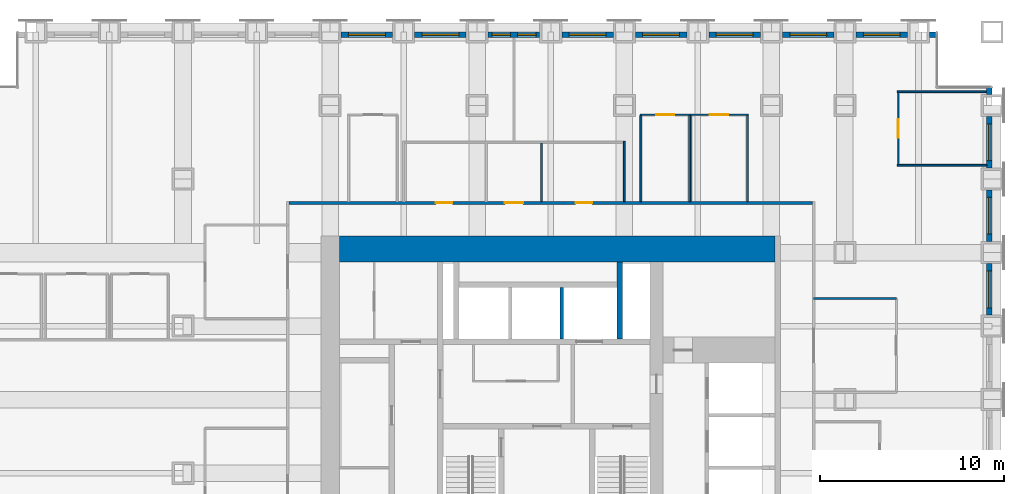
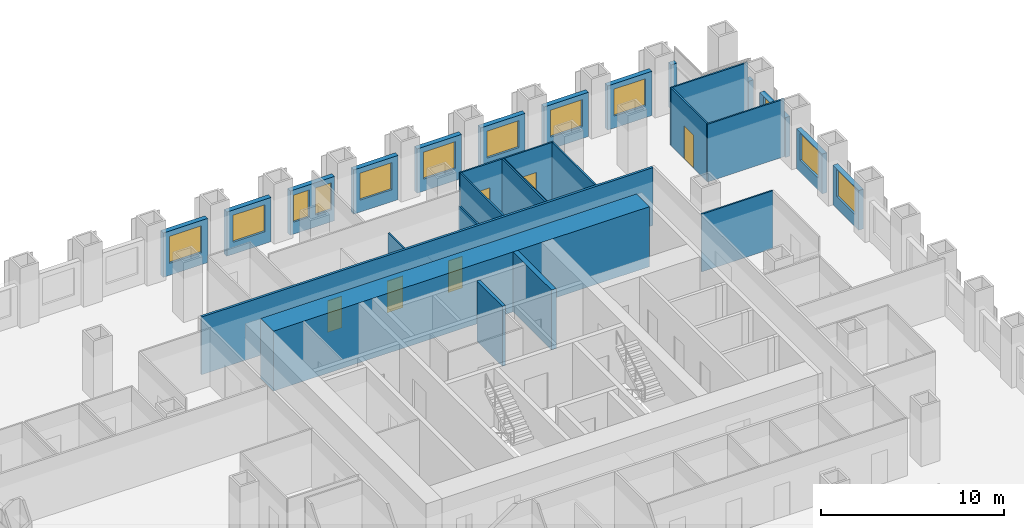
# One storey, part 12 of 15: 29 walls, 12 windows, 6 doors, 18 openings.
"""IFC4 building model written with IfcOpenShell, lengths in metres."""

from ifc_helpers import new_model, si_unit, direction, frame, frame_2d, origin, place, context, subcontext, project, spatial, rectangle, extrude, material, layer, layer_set, type_object, element, fill, save


model = new_model("IFC4")

# Units and contexts
model_context = context("Model", 3, precision=1e-05, world=origin(), true_north=direction((0.0, 1.0)))
body_context = subcontext(model_context, "Body", "Model", "MODEL_VIEW")
ifc_project = project(units=[si_unit("LENGTHUNIT", "METRE"), si_unit("AREAUNIT", "SQUARE_METRE"), si_unit("VOLUMEUNIT", "CUBIC_METRE"), si_unit("PLANEANGLEUNIT", "RADIAN"), si_unit("MASSUNIT", "GRAM", prefix="KILO")], contexts=[model_context])

# Site, building, storey
site_placement = place(None, origin())
site = spatial("IfcSite", under=ifc_project, at=site_placement, CompositionType="ELEMENT")
building_placement = place(site_placement, origin())
building = spatial("IfcBuilding", under=site, at=building_placement, Name="Rimbunsela Tower", CompositionType="ELEMENT")
storey_placement = place(building_placement, frame((0.0, 0.0, 67.0)))
storey = spatial("IfcBuildingStorey", under=building, at=storey_placement, Name="L16", CompositionType="ELEMENT", Elevation=67.0)

# Walls
ifc_material_1 = material(Name="Concrete fc' 80 MPa", Category="concrete")
ifc_layer_1 = layer(ifc_material_1, 0.300048828125)
ifc_layer_set_1 = layer_set([ifc_layer_1], Name="Core internal wall 300")
wall_type_1 = type_object("IfcWallType", Name="Core internal wall 300", PredefinedType="SHEAR", material=ifc_layer_set_1)
wall_1_placement = place(storey_placement, frame((33.75, 31.300048828125, -0.14990234375), z_axis=(0.0, 0.0, 1.0), x_axis=(0.0, 1.0, 0.0)))
element("IfcWall", 1, at=wall_1_placement, inside=storey, type_object=wall_type_1, Name="Riser wall", PredefinedType="SHEAR", context=body_context, shape_type="SweptSolid", body=[
    extrude(rectangle(XDim=4.199951171875, YDim=0.300048828125, at=frame_2d((2.10009765625, 0.0))), origin(), (0.0, 0.0, 1.0), 4.0),
])
ifc_material_2 = material(Name="Concrete fc' 80 MPa", Category="concrete")
ifc_layer_2 = layer(ifc_material_2, 1.39990234375)
ifc_layer_set_2 = layer_set([ifc_layer_2], Name="Core wall 1400")
wall_type_2 = type_object("IfcWallType", Name="Core wall 1400", PredefinedType="SHEAR", material=ifc_layer_set_2)
wall_2_placement = place(storey_placement, frame((18.5, 36.199951171875, -0.14990234375), z_axis=(0.0, 0.0, 1.0), x_axis=(1.0, 0.0, 0.0)))
element("IfcWall", 2, at=wall_2_placement, inside=storey, type_object=wall_type_2, Name="Core wall north", PredefinedType="SHEAR", context=body_context, shape_type="SweptSolid", body=[
    extrude(rectangle(XDim=23.699951171875, YDim=1.39990234375, at=frame_2d((11.85009765625, 0.0))), origin(), (0.0, 0.0, 1.0), 4.0),
])
ifc_material_3 = material(Name="Concrete blockwork", Category="masonry")
ifc_layer_3 = layer(ifc_material_3, 0.199951171875)
ifc_layer_set_3 = layer_set([ifc_layer_3], Name="Lift shaft wall 200")
wall_type_3 = type_object("IfcWallType", Name="Lift shaft wall 200", PredefinedType="SOLIDWALL", material=ifc_layer_set_3)
wall_3_placement = place(storey_placement, frame((30.60009765625, 31.300048828125, -0.14990234375), z_axis=(0.0, 0.0, 1.0), x_axis=(0.0, 1.0, 0.0)))
element("IfcWall", 3, at=wall_3_placement, inside=storey, type_object=wall_type_3, Name="Lift shaft separation", PredefinedType="SOLIDWALL", context=body_context, shape_type="SweptSolid", body=[
    extrude(rectangle(XDim=2.800048828125, YDim=0.199951171875, at=frame_2d((1.39990234375, 0.0))), origin(), (0.0, 0.0, 1.0), 4.0),
])
ifc_material_4 = material(Name="Gypsum board on steel studs", Category="steel")
ifc_layer_4 = layer(ifc_material_4, 0.10009765625)
ifc_layer_set_4 = layer_set([ifc_layer_4], Name="Office partition 100")
wall_type_4 = type_object("IfcWallType", Name="Office partition 100", PredefinedType="PARTITIONING", material=ifc_layer_set_4)
wall_4_placement = place(storey_placement, frame((48.85009765625, 40.75, 0.0), z_axis=(0.0, 0.0, 1.0), x_axis=(1.0, 0.0, 0.0)))
element("IfcWall", 4, at=wall_4_placement, inside=storey, type_object=wall_type_4, Name="Office partition", PredefinedType="PARTITIONING", context=body_context, shape_type="SweptSolid", body=[
    extrude(rectangle(XDim=4.849853515625, YDim=0.10009765625, at=frame_2d((2.4248046875, 0.0))), origin(), (0.0, 0.0, 1.0), 3.85009765625),
])

# Wall, opening, door
wall_5_placement = place(storey_placement, frame((34.85009765625, 43.5, 0.0), z_axis=(0.0, 0.0, 1.0), x_axis=(1.0, 0.0, 0.0)))
wall_5 = element("IfcWall", 5, at=wall_5_placement, inside=storey, type_object=wall_type_4, Name="Office partition", PredefinedType="PARTITIONING", context=body_context, shape_type="SweptSolid", body=[
    extrude(rectangle(XDim=2.75, YDim=0.10009765625, at=frame_2d((1.375, 0.0))), origin(), (0.0, 0.0, 1.0), 3.85009765625),
])
opening_1_placement = place(wall_5_placement, frame((0.875, 0.0, 0.0)))
opening_1 = element("IfcOpeningElement", 6, at=opening_1_placement, cuts=wall_5, Name="Opening D16", PredefinedType="OPENING", context=body_context, shape_type="SweptSolid", body=[
    extrude(rectangle(XDim=1.0, YDim=2.199951171875, at=frame_2d((0.5, 1.10009765625))), frame((0.0, 0.06005859375, 0.0), z_axis=(0.0, -1.0, 0.0), x_axis=(1.0, 0.0, 0.0)), (0.0, 0.0, 1.0), 0.1201171875),
])
ifc_material_5 = material(Name="Timber door", Category="wood")
door_type_1 = type_object("IfcDoorType", Name="Office door 1000", OperationType="SINGLE_SWING_LEFT", PredefinedType="DOOR", material=ifc_material_5)
door_1_placement = place(opening_1_placement, origin())
door_1 = element("IfcDoor", 7, at=door_1_placement, inside=storey, type_object=door_type_1, Name="Office door", OperationType="SINGLE_SWING_LEFT", OverallHeight=2.199951171875, OverallWidth=1.0, PredefinedType="DOOR", context=body_context, shape_type="SweptSolid", body=[
    extrude(rectangle(XDim=1.0, YDim=2.199951171875, at=frame_2d((0.5, 1.10009765625))), frame((0.0, 0.02490234375, 0.0), z_axis=(0.0, -1.0, 0.0), x_axis=(1.0, 0.0, 0.0)), (0.0, 0.0, 1.0), 0.050048828125),
])
fill(opening_1, door_1)

wall_6_placement = place(storey_placement, frame((37.550048828125, 43.5, 0.0), z_axis=(0.0, 0.0, 1.0), x_axis=(1.0, 0.0, 0.0)))
wall_6 = element("IfcWall", 8, at=wall_6_placement, inside=storey, type_object=wall_type_4, Name="Office partition", PredefinedType="PARTITIONING", context=body_context, shape_type="SweptSolid", body=[
    extrude(rectangle(XDim=3.199951171875, YDim=0.10009765625, at=frame_2d((1.60009765625, 0.0))), origin(), (0.0, 0.0, 1.0), 3.85009765625),
])
opening_2_placement = place(wall_6_placement, frame((1.10009765625, 0.0, 0.0)))
opening_2 = element("IfcOpeningElement", 9, at=opening_2_placement, cuts=wall_6, Name="Opening D16", PredefinedType="OPENING", context=body_context, shape_type="SweptSolid", body=[
    extrude(rectangle(XDim=1.0, YDim=2.199951171875, at=frame_2d((0.5, 1.10009765625))), frame((0.0, 0.06005859375, 0.0), z_axis=(0.0, -1.0, 0.0), x_axis=(1.0, 0.0, 0.0)), (0.0, 0.0, 1.0), 0.1201171875),
])
door_2_placement = place(opening_2_placement, origin())
door_2 = element("IfcDoor", 10, at=door_2_placement, inside=storey, type_object=door_type_1, Name="Office door", OperationType="SINGLE_SWING_LEFT", OverallHeight=2.199951171875, OverallWidth=1.0, PredefinedType="DOOR", context=body_context, shape_type="SweptSolid", body=[
    extrude(rectangle(XDim=1.0, YDim=2.199951171875, at=frame_2d((0.5, 1.10009765625))), frame((0.0, 0.02490234375, 0.0), z_axis=(0.0, -1.0, 0.0), x_axis=(1.0, 0.0, 0.0)), (0.0, 0.0, 1.0), 0.050048828125),
])
fill(opening_2, door_2)

# Walls
wall_7_placement = place(storey_placement, frame((48.85009765625, 44.75, 0.0), z_axis=(0.0, 0.0, 1.0), x_axis=(1.0, 0.0, 0.0)))
element("IfcWall", 11, at=wall_7_placement, inside=storey, type_object=wall_type_4, Name="Office partition", PredefinedType="PARTITIONING", context=body_context, shape_type="SweptSolid", body=[
    extrude(rectangle(XDim=4.849853515625, YDim=0.10009765625, at=frame_2d((2.4248046875, 0.0))), origin(), (0.0, 0.0, 1.0), 3.85009765625),
])
for number, where, z_axis, x_axis, name in (
    (12, (34.89990234375, 38.77490234375, 0.0), (0.0, 0.0, 1.0), (0.0, 1.0, 0.0), "Office partition"),
    (13, (37.550048828125, 38.77490234375, 0.0), (0.0, 0.0, 1.0), (0.0, 1.0, 0.0), "Office partition"),
    (14, (37.60009765625, 38.77490234375, 0.0), (0.0, 0.0, 1.0), (0.0, 1.0, 0.0), "Office partition"),
    (15, (40.699951171875, 38.77490234375, 0.0), (0.0, 0.0, 1.0), (0.0, 1.0, 0.0), "Office partition"),
):
    element("IfcWall", number, at=place(storey_placement, frame(where, z_axis=z_axis, x_axis=x_axis)), inside=storey, type_object=wall_type_4, Name=name, PredefinedType="PARTITIONING", context=body_context, shape_type="SweptSolid", body=[
        extrude(rectangle(XDim=4.675048828125, YDim=0.10009765625, at=frame_2d((2.33740234375, 0.0))), origin(), (0.0, 0.0, 1.0), 3.85009765625),
    ])

# Wall, opening, door
wall_8_placement = place(storey_placement, frame((48.89990234375, 40.800048828125, 0.0), z_axis=(0.0, 0.0, 1.0), x_axis=(0.0, 1.0, 0.0)))
wall_8 = element("IfcWall", 16, at=wall_8_placement, inside=storey, type_object=wall_type_4, Name="Office partition", PredefinedType="PARTITIONING", context=body_context, shape_type="SweptSolid", body=[
    extrude(rectangle(XDim=3.89990234375, YDim=0.10009765625, at=frame_2d((1.949951171875, 0.0))), origin(), (0.0, 0.0, 1.0), 3.85009765625),
])
opening_3_placement = place(wall_8_placement, frame((1.449951171875, 0.0, 0.0)))
opening_3 = element("IfcOpeningElement", 17, at=opening_3_placement, cuts=wall_8, Name="Opening D17", PredefinedType="OPENING", context=body_context, shape_type="SweptSolid", body=[
    extrude(rectangle(XDim=1.0, YDim=2.199951171875, at=frame_2d((0.5, 1.10009765625))), frame((0.0, 0.06005859375, 0.0), z_axis=(0.0, -1.0, 0.0), x_axis=(1.0, 0.0, 0.0)), (0.0, 0.0, 1.0), 0.1201171875),
])
ifc_material_6 = material(Name="Glazed aluminium door", Category="aluminium")
door_type_2 = type_object("IfcDoorType", Name="Meeting room door 1000 glazed", OperationType="SINGLE_SWING_RIGHT", PredefinedType="DOOR", material=ifc_material_6)
door_3_placement = place(opening_3_placement, origin())
door_3 = element("IfcDoor", 18, at=door_3_placement, inside=storey, type_object=door_type_2, Name="Meeting room door", OperationType="SINGLE_SWING_RIGHT", OverallHeight=2.199951171875, OverallWidth=1.0, PredefinedType="DOOR", context=body_context, shape_type="SweptSolid", body=[
    extrude(rectangle(XDim=1.0, YDim=2.199951171875, at=frame_2d((0.5, 1.10009765625))), frame((0.0, 0.02490234375, 0.0), z_axis=(0.0, -1.0, 0.0), x_axis=(1.0, 0.0, 0.0)), (0.0, 0.0, 1.0), 0.050048828125),
])
fill(opening_3, door_3)

# Wall
wall_9_placement = place(storey_placement, frame((48.800048828125, 33.5, 0.0), z_axis=(0.0, 0.0, 1.0), x_axis=(-1.0, 0.0, 0.0)))
element("IfcWall", 19, at=wall_9_placement, inside=storey, type_object=wall_type_4, Name="Office partition", PredefinedType="PARTITIONING", context=body_context, shape_type="SweptSolid", body=[
    extrude(rectangle(XDim=4.5, YDim=0.10009765625, at=frame_2d((2.25, 0.0))), origin(), (0.0, 0.0, 1.0), 3.85009765625),
])

# Wall, opening, window
ifc_material_7 = material(Name="Precast concrete fc' 35 MPa", Category="concrete")
ifc_layer_5 = layer(ifc_material_7, 0.300048828125)
ifc_layer_set_5 = layer_set([ifc_layer_5], Name="Precast concrete fc' 35 MPa")
wall_type_5 = type_object("IfcWallType", Name="Precast facade panel 300", PredefinedType="ELEMENTEDWALL", material=ifc_layer_set_5)
wall_10_placement = place(storey_placement, frame((53.85009765625, 32.60009765625, 0.0), z_axis=(0.0, 0.0, 1.0), x_axis=(0.0, 1.0, 0.0)))
wall_10 = element("IfcWall", 20, at=wall_10_placement, inside=storey, type_object=wall_type_5, Name="Facade panel E L16", PredefinedType="ELEMENTEDWALL", context=body_context, shape_type="SweptSolid", body=[
    extrude(rectangle(XDim=2.7998046875, YDim=0.300048828125, at=frame_2d((1.39990234375, 0.0))), origin(), (0.0, 0.0, 1.0), 2.64990234375),
])
opening_4_placement = place(wall_10_placement, frame((0.39990234375, 0.0, 0.800048828125)))
opening_4 = element("IfcOpeningElement", 21, at=opening_4_placement, cuts=wall_10, Name="Opening W7", PredefinedType="OPENING", context=body_context, shape_type="SweptSolid", body=[
    extrude(rectangle(XDim=2.0, YDim=1.800048828125, at=frame_2d((1.0, 0.89990234375))), frame((0.0, 0.159912109375, 0.0), z_axis=(0.0, -1.0, 0.0), x_axis=(1.0, 0.0, 0.0)), (0.0, 0.0, 1.0), 0.320068359375),
])
ifc_material_8 = material(Name="Clear glass in aluminium frame", Category="aluminium")
window_type_1 = type_object("IfcWindowType", Name="Window W7 2000x1800", PartitioningType="DOUBLE_PANEL_VERTICAL", PredefinedType="WINDOW", material=ifc_material_8)
window_1_placement = place(opening_4_placement, origin())
window_1 = element("IfcWindow", 22, at=window_1_placement, inside=storey, type_object=window_type_1, Name="Window L16", OverallHeight=1.800048828125, OverallWidth=2.0, PartitioningType="SINGLE_PANEL", PredefinedType="WINDOW", context=body_context, shape_type="SweptSolid", body=[
    extrude(rectangle(XDim=2.0, YDim=1.800048828125, at=frame_2d((1.0, 0.89990234375))), frame((0.0, 0.030029296875, 0.0), z_axis=(0.0, -1.0, 0.0), x_axis=(1.0, 0.0, 0.0)), (0.0, 0.0, 1.0), 0.06005859375),
])
fill(opening_4, window_1)

wall_11_placement = place(storey_placement, frame((53.85009765625, 36.60009765625, 0.0), z_axis=(0.0, 0.0, 1.0), x_axis=(0.0, 1.0, 0.0)))
wall_11 = element("IfcWall", 23, at=wall_11_placement, inside=storey, type_object=wall_type_5, Name="Facade panel E L16", PredefinedType="ELEMENTEDWALL", context=body_context, shape_type="SweptSolid", body=[
    extrude(rectangle(XDim=2.7998046875, YDim=0.300048828125, at=frame_2d((1.39990234375, 0.0))), origin(), (0.0, 0.0, 1.0), 2.64990234375),
])
opening_5_placement = place(wall_11_placement, frame((0.39990234375, 0.0, 0.800048828125)))
opening_5 = element("IfcOpeningElement", 24, at=opening_5_placement, cuts=wall_11, Name="Opening W7", PredefinedType="OPENING", context=body_context, shape_type="SweptSolid", body=[
    extrude(rectangle(XDim=2.0, YDim=1.800048828125, at=frame_2d((1.0, 0.89990234375))), frame((0.0, 0.159912109375, 0.0), z_axis=(0.0, -1.0, 0.0), x_axis=(1.0, 0.0, 0.0)), (0.0, 0.0, 1.0), 0.320068359375),
])
window_2_placement = place(opening_5_placement, origin())
window_2 = element("IfcWindow", 25, at=window_2_placement, inside=storey, type_object=window_type_1, Name="Window L16", OverallHeight=1.800048828125, OverallWidth=2.0, PartitioningType="SINGLE_PANEL", PredefinedType="WINDOW", context=body_context, shape_type="SweptSolid", body=[
    extrude(rectangle(XDim=2.0, YDim=1.800048828125, at=frame_2d((1.0, 0.89990234375))), frame((0.0, 0.030029296875, 0.0), z_axis=(0.0, -1.0, 0.0), x_axis=(1.0, 0.0, 0.0)), (0.0, 0.0, 1.0), 0.06005859375),
])
fill(opening_5, window_2)

wall_12_placement = place(storey_placement, frame((53.85009765625, 40.60009765625, 0.0), z_axis=(0.0, 0.0, 1.0), x_axis=(0.0, 1.0, 0.0)))
wall_12 = element("IfcWall", 26, at=wall_12_placement, inside=storey, type_object=wall_type_5, Name="Facade panel E L16", PredefinedType="ELEMENTEDWALL", context=body_context, shape_type="SweptSolid", body=[
    extrude(rectangle(XDim=2.7998046875, YDim=0.300048828125, at=frame_2d((1.39990234375, 0.0))), origin(), (0.0, 0.0, 1.0), 2.64990234375),
])
opening_6_placement = place(wall_12_placement, frame((0.39990234375, 0.0, 0.800048828125)))
opening_6 = element("IfcOpeningElement", 27, at=opening_6_placement, cuts=wall_12, Name="Opening W7", PredefinedType="OPENING", context=body_context, shape_type="SweptSolid", body=[
    extrude(rectangle(XDim=2.0, YDim=1.800048828125, at=frame_2d((1.0, 0.89990234375))), frame((0.0, 0.159912109375, 0.0), z_axis=(0.0, -1.0, 0.0), x_axis=(1.0, 0.0, 0.0)), (0.0, 0.0, 1.0), 0.320068359375),
])
window_3_placement = place(opening_6_placement, origin())
window_3 = element("IfcWindow", 28, at=window_3_placement, inside=storey, type_object=window_type_1, Name="Window L16", OverallHeight=1.800048828125, OverallWidth=2.0, PartitioningType="SINGLE_PANEL", PredefinedType="WINDOW", context=body_context, shape_type="SweptSolid", body=[
    extrude(rectangle(XDim=2.0, YDim=1.800048828125, at=frame_2d((1.0, 0.89990234375))), frame((0.0, 0.030029296875, 0.0), z_axis=(0.0, -1.0, 0.0), x_axis=(1.0, 0.0, 0.0)), (0.0, 0.0, 1.0), 0.06005859375),
])
fill(opening_6, window_3)

# Wall
wall_13_placement = place(storey_placement, frame((53.85009765625, 44.60009765625, 0.0), z_axis=(0.0, 0.0, 1.0), x_axis=(0.0, 1.0, 0.0)))
element("IfcWall", 29, at=wall_13_placement, inside=storey, type_object=wall_type_5, Name="Facade panel E L16", PredefinedType="ELEMENTEDWALL", context=body_context, shape_type="SweptSolid", body=[
    extrude(rectangle(XDim=0.369873046875, YDim=0.300048828125, at=frame_2d((0.18505859375, 0.0))), origin(), (0.0, 0.0, 1.0), 2.64990234375),
])

# Wall, opening, window
wall_14_placement = place(storey_placement, frame((21.39990234375, 47.85009765625, 0.0), z_axis=(0.0, 0.0, 1.0), x_axis=(-1.0, 0.0, 0.0)))
wall_14 = element("IfcWall", 30, at=wall_14_placement, inside=storey, type_object=wall_type_5, Name="Facade panel N L16", PredefinedType="ELEMENTEDWALL", context=body_context, shape_type="SweptSolid", body=[
    extrude(rectangle(XDim=2.7998046875, YDim=0.300048828125, at=frame_2d((1.39990234375, 0.0))), origin(), (0.0, 0.0, 1.0), 2.949951171875),
])
opening_7_placement = place(wall_14_placement, frame((0.39990234375, 0.0, 0.800048828125)))
opening_7 = element("IfcOpeningElement", 31, at=opening_7_placement, cuts=wall_14, Name="Opening W7", PredefinedType="OPENING", context=body_context, shape_type="SweptSolid", body=[
    extrude(rectangle(XDim=2.0, YDim=1.800048828125, at=frame_2d((1.0, 0.89990234375))), frame((0.0, 0.159912109375, 0.0), z_axis=(0.0, -1.0, 0.0), x_axis=(1.0, 0.0, 0.0)), (0.0, 0.0, 1.0), 0.320068359375),
])
window_4_placement = place(opening_7_placement, origin())
window_4 = element("IfcWindow", 32, at=window_4_placement, inside=storey, type_object=window_type_1, Name="Window L16", OverallHeight=1.800048828125, OverallWidth=2.0, PartitioningType="SINGLE_PANEL", PredefinedType="WINDOW", context=body_context, shape_type="SweptSolid", body=[
    extrude(rectangle(XDim=2.0, YDim=1.800048828125, at=frame_2d((1.0, 0.89990234375))), frame((0.0, 0.030029296875, 0.0), z_axis=(0.0, -1.0, 0.0), x_axis=(1.0, 0.0, 0.0)), (0.0, 0.0, 1.0), 0.06005859375),
])
fill(opening_7, window_4)

wall_15_placement = place(storey_placement, frame((25.39990234375, 47.85009765625, 0.0), z_axis=(0.0, 0.0, 1.0), x_axis=(-1.0, 0.0, 0.0)))
wall_15 = element("IfcWall", 33, at=wall_15_placement, inside=storey, type_object=wall_type_5, Name="Facade panel N L16", PredefinedType="ELEMENTEDWALL", context=body_context, shape_type="SweptSolid", body=[
    extrude(rectangle(XDim=2.7998046875, YDim=0.300048828125, at=frame_2d((1.39990234375, 0.0))), origin(), (0.0, 0.0, 1.0), 2.949951171875),
])
opening_8_placement = place(wall_15_placement, frame((0.39990234375, 0.0, 0.800048828125)))
opening_8 = element("IfcOpeningElement", 34, at=opening_8_placement, cuts=wall_15, Name="Opening W7", PredefinedType="OPENING", context=body_context, shape_type="SweptSolid", body=[
    extrude(rectangle(XDim=2.0, YDim=1.800048828125, at=frame_2d((1.0, 0.89990234375))), frame((0.0, 0.159912109375, 0.0), z_axis=(0.0, -1.0, 0.0), x_axis=(1.0, 0.0, 0.0)), (0.0, 0.0, 1.0), 0.320068359375),
])
window_5_placement = place(opening_8_placement, origin())
window_5 = element("IfcWindow", 35, at=window_5_placement, inside=storey, type_object=window_type_1, Name="Window L16", OverallHeight=1.800048828125, OverallWidth=2.0, PartitioningType="SINGLE_PANEL", PredefinedType="WINDOW", context=body_context, shape_type="SweptSolid", body=[
    extrude(rectangle(XDim=2.0, YDim=1.800048828125, at=frame_2d((1.0, 0.89990234375))), frame((0.0, 0.030029296875, 0.0), z_axis=(0.0, -1.0, 0.0), x_axis=(1.0, 0.0, 0.0)), (0.0, 0.0, 1.0), 0.06005859375),
])
fill(opening_8, window_5)

# Wall, openings, windows
wall_16_placement = place(storey_placement, frame((29.39990234375, 47.85009765625, 0.0), z_axis=(0.0, 0.0, 1.0), x_axis=(-1.0, 0.0, 0.0)))
wall_16 = element("IfcWall", 36, at=wall_16_placement, inside=storey, type_object=wall_type_5, Name="Facade panel N L16", PredefinedType="ELEMENTEDWALL", context=body_context, shape_type="SweptSolid", body=[
    extrude(rectangle(XDim=2.7998046875, YDim=0.300048828125, at=frame_2d((1.39990234375, 0.0))), origin(), (0.0, 0.0, 1.0), 2.949951171875),
])
opening_9_placement = place(wall_16_placement, frame((1.60009765625, 0.0, 0.800048828125)))
opening_9 = element("IfcOpeningElement", 37, at=opening_9_placement, cuts=wall_16, Name="Opening W8", PredefinedType="OPENING", context=body_context, shape_type="SweptSolid", body=[
    extrude(rectangle(XDim=1.0, YDim=1.800048828125, at=frame_2d((0.5, 0.89990234375))), frame((0.0, 0.159912109375, 0.0), z_axis=(0.0, -1.0, 0.0), x_axis=(1.0, 0.0, 0.0)), (0.0, 0.0, 1.0), 0.320068359375),
])
opening_10_placement = place(wall_16_placement, frame((0.199951171875, 0.0, 0.800048828125)))
opening_10 = element("IfcOpeningElement", 38, at=opening_10_placement, cuts=wall_16, Name="Opening W8", PredefinedType="OPENING", context=body_context, shape_type="SweptSolid", body=[
    extrude(rectangle(XDim=1.0, YDim=1.800048828125, at=frame_2d((0.5, 0.89990234375))), frame((0.0, 0.159912109375, 0.0), z_axis=(0.0, -1.0, 0.0), x_axis=(1.0, 0.0, 0.0)), (0.0, 0.0, 1.0), 0.320068359375),
])
ifc_material_9 = material(Name="Clear glass in aluminium frame", Category="aluminium")
window_type_2 = type_object("IfcWindowType", Name="Window W8 1000x1800", PartitioningType="SINGLE_PANEL", PredefinedType="WINDOW", material=ifc_material_9)
window_6_placement = place(opening_9_placement, origin())
window_6 = element("IfcWindow", 39, at=window_6_placement, inside=storey, type_object=window_type_2, Name="Window L16", OverallHeight=1.800048828125, OverallWidth=1.0, PartitioningType="SINGLE_PANEL", PredefinedType="WINDOW", context=body_context, shape_type="SweptSolid", body=[
    extrude(rectangle(XDim=1.0, YDim=1.800048828125, at=frame_2d((0.5, 0.89990234375))), frame((0.0, 0.030029296875, 0.0), z_axis=(0.0, -1.0, 0.0), x_axis=(1.0, 0.0, 0.0)), (0.0, 0.0, 1.0), 0.06005859375),
])
fill(opening_9, window_6)
window_7_placement = place(opening_10_placement, origin())
window_7 = element("IfcWindow", 40, at=window_7_placement, inside=storey, type_object=window_type_2, Name="Window L16", OverallHeight=1.800048828125, OverallWidth=1.0, PartitioningType="SINGLE_PANEL", PredefinedType="WINDOW", context=body_context, shape_type="SweptSolid", body=[
    extrude(rectangle(XDim=1.0, YDim=1.800048828125, at=frame_2d((0.5, 0.89990234375))), frame((0.0, 0.030029296875, 0.0), z_axis=(0.0, -1.0, 0.0), x_axis=(1.0, 0.0, 0.0)), (0.0, 0.0, 1.0), 0.06005859375),
])
fill(opening_10, window_7)

# Wall, opening, window
wall_17_placement = place(storey_placement, frame((33.39990234375, 47.85009765625, 0.0), z_axis=(0.0, 0.0, 1.0), x_axis=(-1.0, 0.0, 0.0)))
wall_17 = element("IfcWall", 41, at=wall_17_placement, inside=storey, type_object=wall_type_5, Name="Facade panel N L16", PredefinedType="ELEMENTEDWALL", context=body_context, shape_type="SweptSolid", body=[
    extrude(rectangle(XDim=2.7998046875, YDim=0.300048828125, at=frame_2d((1.39990234375, 0.0))), origin(), (0.0, 0.0, 1.0), 2.949951171875),
])
opening_11_placement = place(wall_17_placement, frame((0.39990234375, 0.0, 0.800048828125)))
opening_11 = element("IfcOpeningElement", 42, at=opening_11_placement, cuts=wall_17, Name="Opening W7", PredefinedType="OPENING", context=body_context, shape_type="SweptSolid", body=[
    extrude(rectangle(XDim=2.0, YDim=1.800048828125, at=frame_2d((1.0, 0.89990234375))), frame((0.0, 0.159912109375, 0.0), z_axis=(0.0, -1.0, 0.0), x_axis=(1.0, 0.0, 0.0)), (0.0, 0.0, 1.0), 0.320068359375),
])
window_8_placement = place(opening_11_placement, origin())
window_8 = element("IfcWindow", 43, at=window_8_placement, inside=storey, type_object=window_type_1, Name="Window L16", OverallHeight=1.800048828125, OverallWidth=2.0, PartitioningType="SINGLE_PANEL", PredefinedType="WINDOW", context=body_context, shape_type="SweptSolid", body=[
    extrude(rectangle(XDim=2.0, YDim=1.800048828125, at=frame_2d((1.0, 0.89990234375))), frame((0.0, 0.030029296875, 0.0), z_axis=(0.0, -1.0, 0.0), x_axis=(1.0, 0.0, 0.0)), (0.0, 0.0, 1.0), 0.06005859375),
])
fill(opening_11, window_8)

wall_18_placement = place(storey_placement, frame((37.39990234375, 47.85009765625, 0.0), z_axis=(0.0, 0.0, 1.0), x_axis=(-1.0, 0.0, 0.0)))
wall_18 = element("IfcWall", 44, at=wall_18_placement, inside=storey, type_object=wall_type_5, Name="Facade panel N L16", PredefinedType="ELEMENTEDWALL", context=body_context, shape_type="SweptSolid", body=[
    extrude(rectangle(XDim=2.7998046875, YDim=0.300048828125, at=frame_2d((1.39990234375, 0.0))), origin(), (0.0, 0.0, 1.0), 2.949951171875),
])
opening_12_placement = place(wall_18_placement, frame((0.39990234375, 0.0, 0.800048828125)))
opening_12 = element("IfcOpeningElement", 45, at=opening_12_placement, cuts=wall_18, Name="Opening W7", PredefinedType="OPENING", context=body_context, shape_type="SweptSolid", body=[
    extrude(rectangle(XDim=2.0, YDim=1.800048828125, at=frame_2d((1.0, 0.89990234375))), frame((0.0, 0.159912109375, 0.0), z_axis=(0.0, -1.0, 0.0), x_axis=(1.0, 0.0, 0.0)), (0.0, 0.0, 1.0), 0.320068359375),
])
window_9_placement = place(opening_12_placement, origin())
window_9 = element("IfcWindow", 46, at=window_9_placement, inside=storey, type_object=window_type_1, Name="Window L16", OverallHeight=1.800048828125, OverallWidth=2.0, PartitioningType="SINGLE_PANEL", PredefinedType="WINDOW", context=body_context, shape_type="SweptSolid", body=[
    extrude(rectangle(XDim=2.0, YDim=1.800048828125, at=frame_2d((1.0, 0.89990234375))), frame((0.0, 0.030029296875, 0.0), z_axis=(0.0, -1.0, 0.0), x_axis=(1.0, 0.0, 0.0)), (0.0, 0.0, 1.0), 0.06005859375),
])
fill(opening_12, window_9)

wall_19_placement = place(storey_placement, frame((41.39990234375, 47.85009765625, 0.0), z_axis=(0.0, 0.0, 1.0), x_axis=(-1.0, 0.0, 0.0)))
wall_19 = element("IfcWall", 47, at=wall_19_placement, inside=storey, type_object=wall_type_5, Name="Facade panel N L16", PredefinedType="ELEMENTEDWALL", context=body_context, shape_type="SweptSolid", body=[
    extrude(rectangle(XDim=2.7998046875, YDim=0.300048828125, at=frame_2d((1.39990234375, 0.0))), origin(), (0.0, 0.0, 1.0), 2.949951171875),
])
opening_13_placement = place(wall_19_placement, frame((0.39990234375, 0.0, 0.800048828125)))
opening_13 = element("IfcOpeningElement", 48, at=opening_13_placement, cuts=wall_19, Name="Opening W7", PredefinedType="OPENING", context=body_context, shape_type="SweptSolid", body=[
    extrude(rectangle(XDim=2.0, YDim=1.800048828125, at=frame_2d((1.0, 0.89990234375))), frame((0.0, 0.159912109375, 0.0), z_axis=(0.0, -1.0, 0.0), x_axis=(1.0, 0.0, 0.0)), (0.0, 0.0, 1.0), 0.320068359375),
])
window_10_placement = place(opening_13_placement, origin())
window_10 = element("IfcWindow", 49, at=window_10_placement, inside=storey, type_object=window_type_1, Name="Window L16", OverallHeight=1.800048828125, OverallWidth=2.0, PartitioningType="SINGLE_PANEL", PredefinedType="WINDOW", context=body_context, shape_type="SweptSolid", body=[
    extrude(rectangle(XDim=2.0, YDim=1.800048828125, at=frame_2d((1.0, 0.89990234375))), frame((0.0, 0.030029296875, 0.0), z_axis=(0.0, -1.0, 0.0), x_axis=(1.0, 0.0, 0.0)), (0.0, 0.0, 1.0), 0.06005859375),
])
fill(opening_13, window_10)

wall_20_placement = place(storey_placement, frame((45.39990234375, 47.85009765625, 0.0), z_axis=(0.0, 0.0, 1.0), x_axis=(-1.0, 0.0, 0.0)))
wall_20 = element("IfcWall", 50, at=wall_20_placement, inside=storey, type_object=wall_type_5, Name="Facade panel N L16", PredefinedType="ELEMENTEDWALL", context=body_context, shape_type="SweptSolid", body=[
    extrude(rectangle(XDim=2.7998046875, YDim=0.300048828125, at=frame_2d((1.39990234375, 0.0))), origin(), (0.0, 0.0, 1.0), 2.949951171875),
])
opening_14_placement = place(wall_20_placement, frame((0.39990234375, 0.0, 0.800048828125)))
opening_14 = element("IfcOpeningElement", 51, at=opening_14_placement, cuts=wall_20, Name="Opening W7", PredefinedType="OPENING", context=body_context, shape_type="SweptSolid", body=[
    extrude(rectangle(XDim=2.0, YDim=1.800048828125, at=frame_2d((1.0, 0.89990234375))), frame((0.0, 0.159912109375, 0.0), z_axis=(0.0, -1.0, 0.0), x_axis=(1.0, 0.0, 0.0)), (0.0, 0.0, 1.0), 0.320068359375),
])
window_11_placement = place(opening_14_placement, origin())
window_11 = element("IfcWindow", 52, at=window_11_placement, inside=storey, type_object=window_type_1, Name="Window L16", OverallHeight=1.800048828125, OverallWidth=2.0, PartitioningType="SINGLE_PANEL", PredefinedType="WINDOW", context=body_context, shape_type="SweptSolid", body=[
    extrude(rectangle(XDim=2.0, YDim=1.800048828125, at=frame_2d((1.0, 0.89990234375))), frame((0.0, 0.030029296875, 0.0), z_axis=(0.0, -1.0, 0.0), x_axis=(1.0, 0.0, 0.0)), (0.0, 0.0, 1.0), 0.06005859375),
])
fill(opening_14, window_11)

wall_21_placement = place(storey_placement, frame((49.39990234375, 47.85009765625, 0.0), z_axis=(0.0, 0.0, 1.0), x_axis=(-1.0, 0.0, 0.0)))
wall_21 = element("IfcWall", 53, at=wall_21_placement, inside=storey, type_object=wall_type_5, Name="Facade panel N L16", PredefinedType="ELEMENTEDWALL", context=body_context, shape_type="SweptSolid", body=[
    extrude(rectangle(XDim=2.7998046875, YDim=0.300048828125, at=frame_2d((1.39990234375, 0.0))), origin(), (0.0, 0.0, 1.0), 2.949951171875),
])
opening_15_placement = place(wall_21_placement, frame((0.39990234375, 0.0, 0.800048828125)))
opening_15 = element("IfcOpeningElement", 54, at=opening_15_placement, cuts=wall_21, Name="Opening W7", PredefinedType="OPENING", context=body_context, shape_type="SweptSolid", body=[
    extrude(rectangle(XDim=2.0, YDim=1.800048828125, at=frame_2d((1.0, 0.89990234375))), frame((0.0, 0.159912109375, 0.0), z_axis=(0.0, -1.0, 0.0), x_axis=(1.0, 0.0, 0.0)), (0.0, 0.0, 1.0), 0.320068359375),
])
window_12_placement = place(opening_15_placement, origin())
window_12 = element("IfcWindow", 55, at=window_12_placement, inside=storey, type_object=window_type_1, Name="Window L16", OverallHeight=1.800048828125, OverallWidth=2.0, PartitioningType="SINGLE_PANEL", PredefinedType="WINDOW", context=body_context, shape_type="SweptSolid", body=[
    extrude(rectangle(XDim=2.0, YDim=1.800048828125, at=frame_2d((1.0, 0.89990234375))), frame((0.0, 0.030029296875, 0.0), z_axis=(0.0, -1.0, 0.0), x_axis=(1.0, 0.0, 0.0)), (0.0, 0.0, 1.0), 0.06005859375),
])
fill(opening_15, window_12)

# Wall
wall_22_placement = place(storey_placement, frame((50.969970703125, 47.85009765625, 0.0), z_axis=(0.0, 0.0, 1.0), x_axis=(-1.0, 0.0, 0.0)))
element("IfcWall", 56, at=wall_22_placement, inside=storey, type_object=wall_type_5, Name="Facade panel N L16", PredefinedType="ELEMENTEDWALL", context=body_context, shape_type="SweptSolid", body=[
    extrude(rectangle(XDim=0.369873046875, YDim=0.300048828125, at=frame_2d((0.18505859375, 0.0))), origin(), (0.0, 0.0, 1.0), 2.949951171875),
])

# Wall, openings, doors
ifc_material_10 = material(Name="Fire-rated gypsum board on steel studs, EI 60", Category="steel")
ifc_layer_6 = layer(ifc_material_10, 0.14990234375)
ifc_layer_set_6 = layer_set([ifc_layer_6], Name="Rated corridor wall 150")
wall_type_6 = type_object("IfcWallType", Name="Rated corridor wall 150", PredefinedType="PARTITIONING", material=ifc_layer_set_6)
wall_23_placement = place(storey_placement, frame((15.77490234375, 38.699951171875, 0.0), z_axis=(0.0, 0.0, 1.0), x_axis=(1.0, 0.0, 0.0)))
wall_23 = element("IfcWall", 57, at=wall_23_placement, inside=storey, type_object=wall_type_6, Name="Corridor wall north", PredefinedType="PARTITIONING", context=body_context, shape_type="SweptSolid", body=[
    extrude(rectangle(XDim=28.4501953125, YDim=0.14990234375, at=frame_2d((14.22509765625, 0.0))), origin(), (0.0, 0.0, 1.0), 3.85009765625),
])
opening_16_placement = place(wall_23_placement, frame((7.97509765625, 0.0, 0.0)))
opening_16 = element("IfcOpeningElement", 58, at=opening_16_placement, cuts=wall_23, Name="Opening D04", PredefinedType="OPENING", context=body_context, shape_type="SweptSolid", body=[
    extrude(rectangle(XDim=0.89990234375, YDim=2.10009765625, at=frame_2d((0.449951171875, 1.050048828125))), frame((0.0, 0.0849609375, 0.0), z_axis=(0.0, -1.0, 0.0), x_axis=(1.0, 0.0, 0.0)), (0.0, 0.0, 1.0), 0.169921875),
])
opening_17_placement = place(wall_23_placement, frame((11.72509765625, 0.0, 0.0)))
opening_17 = element("IfcOpeningElement", 59, at=opening_17_placement, cuts=wall_23, Name="Opening D05", PredefinedType="OPENING", context=body_context, shape_type="SweptSolid", body=[
    extrude(rectangle(XDim=1.0, YDim=2.10009765625, at=frame_2d((0.5, 1.050048828125))), frame((0.0, 0.0849609375, 0.0), z_axis=(0.0, -1.0, 0.0), x_axis=(1.0, 0.0, 0.0)), (0.0, 0.0, 1.0), 0.169921875),
])
opening_18_placement = place(wall_23_placement, frame((15.574951171875, 0.0, 0.0)))
opening_18 = element("IfcOpeningElement", 60, at=opening_18_placement, cuts=wall_23, Name="Opening D04", PredefinedType="OPENING", context=body_context, shape_type="SweptSolid", body=[
    extrude(rectangle(XDim=0.89990234375, YDim=2.10009765625, at=frame_2d((0.449951171875, 1.050048828125))), frame((0.0, 0.0849609375, 0.0), z_axis=(0.0, -1.0, 0.0), x_axis=(1.0, 0.0, 0.0)), (0.0, 0.0, 1.0), 0.169921875),
])
ifc_material_11 = material(Name="Timber door", Category="wood")
door_type_3 = type_object("IfcDoorType", Name="Accessible WC door 1000", OperationType="SLIDING_TO_LEFT", PredefinedType="DOOR", material=ifc_material_11)
door_4_placement = place(opening_17_placement, origin())
door_4 = element("IfcDoor", 61, at=door_4_placement, inside=storey, type_object=door_type_3, Name="Accessible WC door", OperationType="SLIDING_TO_LEFT", OverallHeight=2.10009765625, OverallWidth=1.0, PredefinedType="DOOR", context=body_context, shape_type="SweptSolid", body=[
    extrude(rectangle(XDim=1.0, YDim=2.10009765625, at=frame_2d((0.5, 1.050048828125))), frame((0.0, 0.02490234375, 0.0), z_axis=(0.0, -1.0, 0.0), x_axis=(1.0, 0.0, 0.0)), (0.0, 0.0, 1.0), 0.050048828125),
])
fill(opening_17, door_4)
ifc_material_12 = material(Name="Timber door", Category="wood")
door_type_4 = type_object("IfcDoorType", Name="Toilet door 900", OperationType="SINGLE_SWING_LEFT", PredefinedType="DOOR", material=ifc_material_12)
door_5_placement = place(opening_16_placement, origin())
door_5 = element("IfcDoor", 62, at=door_5_placement, inside=storey, type_object=door_type_4, Name="Female WC door", OperationType="SINGLE_SWING_LEFT", OverallHeight=2.10009765625, OverallWidth=0.89990234375, PredefinedType="DOOR", context=body_context, shape_type="SweptSolid", body=[
    extrude(rectangle(XDim=0.89990234375, YDim=2.10009765625, at=frame_2d((0.449951171875, 1.050048828125))), frame((0.0, 0.02490234375, 0.0), z_axis=(0.0, -1.0, 0.0), x_axis=(1.0, 0.0, 0.0)), (0.0, 0.0, 1.0), 0.050048828125),
])
fill(opening_16, door_5)
door_6_placement = place(opening_18_placement, origin())
door_6 = element("IfcDoor", 63, at=door_6_placement, inside=storey, type_object=door_type_4, Name="Male WC door", OperationType="SINGLE_SWING_LEFT", OverallHeight=2.10009765625, OverallWidth=0.89990234375, PredefinedType="DOOR", context=body_context, shape_type="SweptSolid", body=[
    extrude(rectangle(XDim=0.89990234375, YDim=2.10009765625, at=frame_2d((0.449951171875, 1.050048828125))), frame((0.0, 0.02490234375, 0.0), z_axis=(0.0, -1.0, 0.0), x_axis=(1.0, 0.0, 0.0)), (0.0, 0.0, 1.0), 0.050048828125),
])
fill(opening_18, door_6)

# Walls
ifc_material_13 = material(Name="Concrete blockwork", Category="masonry")
ifc_layer_7 = layer(ifc_material_13, 0.10009765625)
ifc_layer_set_7 = layer_set([ifc_layer_7], Name="Toilet partition 100")
wall_type_7 = type_object("IfcWallType", Name="Toilet partition 100", PredefinedType="PARTITIONING", material=ifc_layer_set_7)
wall_24_placement = place(storey_placement, frame((34.0, 38.77490234375, 0.0), z_axis=(0.0, 0.0, 1.0), x_axis=(0.0, 1.0, 0.0)))
element("IfcWall", 64, at=wall_24_placement, inside=storey, type_object=wall_type_7, Name="Toilet block wall east", PredefinedType="PARTITIONING", context=body_context, shape_type="SweptSolid", body=[
    extrude(rectangle(XDim=3.275146484375, YDim=0.10009765625, at=frame_2d((1.6376953125, 0.0))), origin(), (0.0, 0.0, 1.0), 2.85009765625),
])
wall_25_placement = place(storey_placement, frame((29.5, 38.77490234375, 0.0), z_axis=(0.0, 0.0, 1.0), x_axis=(0.0, 1.0, 0.0)))
element("IfcWall", 65, at=wall_25_placement, inside=storey, type_object=wall_type_7, Name="Toilet partition", PredefinedType="PARTITIONING", context=body_context, shape_type="SweptSolid", body=[
    extrude(rectangle(XDim=3.175048828125, YDim=0.10009765625, at=frame_2d((1.58740234375, 0.0))), origin(), (0.0, 0.0, 1.0), 2.64990234375),
])

save(model, "model.ifc")
